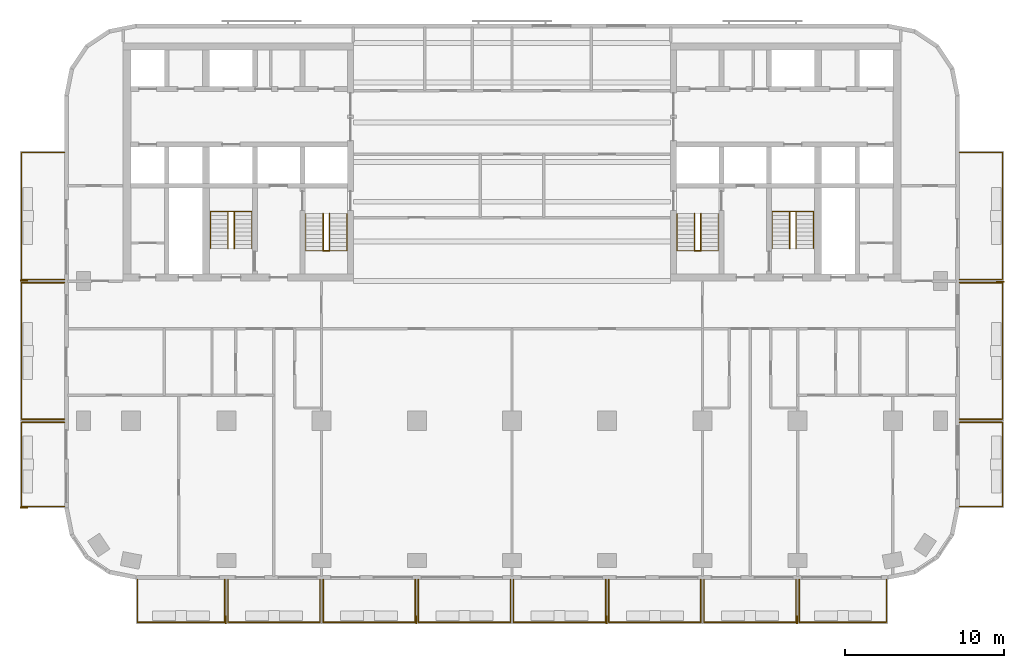
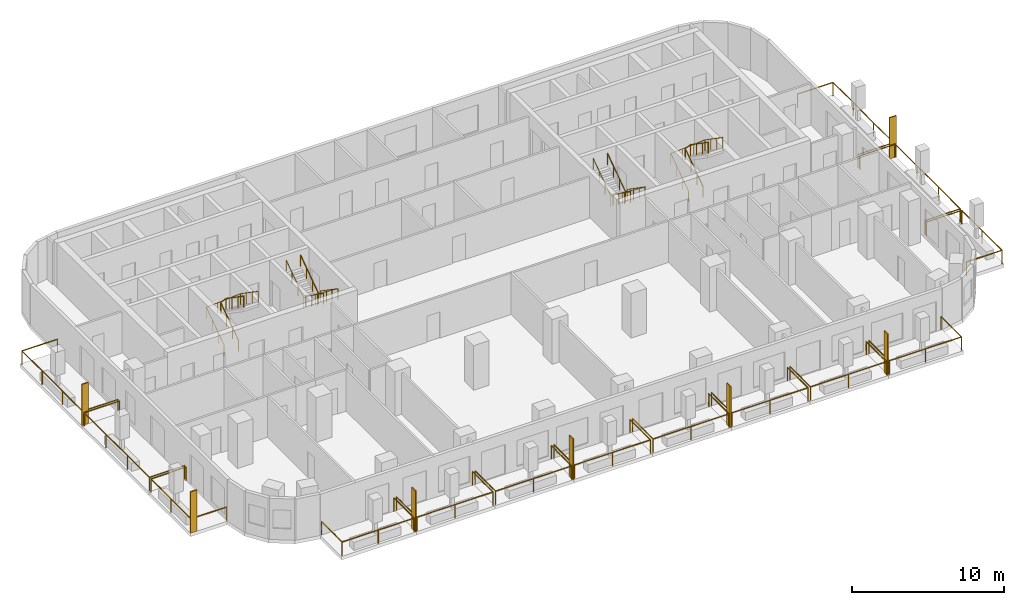
# One storey, part 9 of 11: 22 railings, 7 shading devices.
"""IFC4 building model written with IfcOpenShell, lengths in metres."""

from ifc_helpers import new_model, si_unit, direction, frame, origin, origin_2d, place, context, subcontext, project, spatial, rectangle, circle, extrude, material, layer, layer_set, type_object, element, save


model = new_model("IFC4")

# Units and contexts
model_context = context("Model", 3, precision=1e-05, world=origin(), true_north=direction((0.0, 1.0)))
body_context = subcontext(model_context, "Body", "Model", "MODEL_VIEW")
ifc_project = project(units=[si_unit("LENGTHUNIT", "METRE"), si_unit("AREAUNIT", "SQUARE_METRE"), si_unit("VOLUMEUNIT", "CUBIC_METRE"), si_unit("PLANEANGLEUNIT", "RADIAN"), si_unit("MASSUNIT", "GRAM", prefix="KILO")], contexts=[model_context])

# Site, building, storey
site_placement = place(None, origin())
site = spatial("IfcSite", under=ifc_project, at=site_placement, CompositionType="ELEMENT")
building_placement = place(site_placement, origin())
building = spatial("IfcBuilding", under=site, at=building_placement, Name="Torana Hotel and Residences", CompositionType="ELEMENT")
storey_placement = place(building_placement, frame((0.0, 0.0, 130.800048828125)))
storey = spatial("IfcBuildingStorey", under=building, at=storey_placement, Name="L33", CompositionType="ELEMENT", Elevation=130.800048828125)

# Shading devices
ifc_material_1 = material(Name="Black powder coated aluminium", Category="aluminium")
ifc_layer = layer(ifc_material_1, 0.080078125)
ifc_layer_set = layer_set([ifc_layer], Name="FN1 VERTICAL FIN 500x80")
shading_device_type = type_object("IfcShadingDeviceType", Name="FN1 VERTICAL FIN 500x80", PredefinedType="USERDEFINED", material=ifc_layer_set)
for number, where, z_axis, x_axis, name in (
    (1, (-18.0400390625, -36.35009765625, 0.0), (0.0, 0.0, 1.0), (-1.0, 0.0, 0.0), "Fin 01"),
    (2, (-6.0400390625, -36.35009765625, 0.0), (0.0, 0.0, 1.0), (-1.0, 0.0, 0.0), "Fin 03"),
    (3, (5.9599609375, -36.35009765625, 0.0), (0.0, 0.0, 1.0), (-1.0, 0.0, 0.0), "Fin 05"),
    (4, (17.9599609375, -36.35009765625, 0.0), (0.0, 0.0, 1.0), (-1.0, 0.0, 0.0), "Fin 07"),
    (5, (-30.75, -29.260009765625, 0.0), (0.0, 0.0, 1.0), (0.0, 1.0, 0.0), "Fin 09"),
    (6, (-30.75, -14.9599609375, 0.0), (0.0, 0.0, 1.0), (0.0, 1.0, 0.0), "Fin 11"),
    (7, (30.75, -15.0400390625, 0.0), (0.0, 0.0, 1.0), (0.0, -1.0, 0.0), "Fin 13"),
):
    element("IfcShadingDevice", number, at=place(storey_placement, frame(where, z_axis=z_axis, x_axis=x_axis)), inside=storey, type_object=shading_device_type, Name=name, ObjectType="FIN", PredefinedType="USERDEFINED", context=body_context, shape_type="SweptSolid", body=[
        extrude(rectangle(XDim=0.080078125, YDim=0.5, at=origin_2d()), origin(), (0.0, 0.0, 1.0), 3.320068359375),
    ])

# Railings
ifc_material_2 = material(Name="Laminated glass balustrade with black handrail", Category="glass")
railing_type_1 = type_object("IfcRailingType", Name="GR1 BALCONY GUARD 1100 GLASS", PredefinedType="GUARDRAIL", material=ifc_material_2)
railing_1_placement = place(storey_placement, frame((-18.10009765625, -33.800048828125, 0.0)))
element("IfcRailing", 8, at=railing_1_placement, inside=storey, type_object=railing_type_1, Name="Balcony guard 01", PredefinedType="GUARDRAIL", context=body_context, shape_type="SweptSolid", body=[
    extrude(circle(Radius=0.02392578125, at=origin_2d()), frame((0.0, 0.0, 1.076171875), z_axis=(0.0, -1.0, 0.0), x_axis=(1.0, 0.0, 0.0)), (0.0, 0.0, 1.0), 2.699951171875),
    extrude(circle(Radius=0.02392578125, at=origin_2d()), frame((0.0, -2.699951171875, 1.076171875), z_axis=(-1.0, 0.0, 0.0), x_axis=(0.0, -1.0, 0.0)), (0.0, 0.0, 1.0), 5.5),
    extrude(circle(Radius=0.02392578125, at=origin_2d()), frame((-5.5, -2.699951171875, 1.076171875), z_axis=(0.0, 1.0, 0.0), x_axis=(-1.0, 0.0, 0.0)), (0.0, 0.0, 1.0), 2.699951171875),
    extrude(circle(Radius=0.02099609375, at=origin_2d()), origin(), (0.0, 0.0, 1.0), 1.052001953125),
    extrude(circle(Radius=0.02099609375, at=origin_2d()), frame((0.0, -2.699951171875, 0.0)), (0.0, 0.0, 1.0), 1.052001953125),
    extrude(circle(Radius=0.02099609375, at=origin_2d()), frame((-2.75, -2.699951171875, 0.0)), (0.0, 0.0, 1.0), 1.052001953125),
    extrude(circle(Radius=0.02099609375, at=origin_2d()), frame((-5.5, -2.699951171875, 0.0)), (0.0, 0.0, 1.0), 1.052001953125),
    extrude(circle(Radius=0.02099609375, at=origin_2d()), frame((-5.5, 0.0, 0.0)), (0.0, 0.0, 1.0), 1.052001953125),
])
for number, where, name in (
    (9, (-12.10009765625, -33.800048828125, 0.0), "Balcony guard 02"),
    (10, (-6.10009765625, -33.800048828125, 0.0), "Balcony guard 03"),
    (11, (-0.10009765625, -33.800048828125, 0.0), "Balcony guard 04"),
    (12, (5.89990234375, -33.800048828125, 0.0), "Balcony guard 05"),
    (13, (11.89990234375, -33.800048828125, 0.0), "Balcony guard 06"),
    (14, (17.89990234375, -33.800048828125, 0.0), "Balcony guard 07"),
):
    element("IfcRailing", number, at=place(storey_placement, frame(where)), inside=storey, type_object=railing_type_1, Name=name, PredefinedType="GUARDRAIL", context=body_context, shape_type="SweptSolid", body=[
        extrude(circle(Radius=0.02392578125, at=origin_2d()), frame((0.0, 0.0, 1.076171875), z_axis=(0.0, -1.0, 0.0), x_axis=(1.0, 0.0, 0.0)), (0.0, 0.0, 1.0), 2.699951171875),
        extrude(circle(Radius=0.02392578125, at=origin_2d()), frame((0.0, -2.699951171875, 1.076171875), z_axis=(-1.0, 0.0, 0.0), x_axis=(0.0, -1.0, 0.0)), (0.0, 0.0, 1.0), 5.7998046875),
        extrude(circle(Radius=0.02392578125, at=origin_2d()), frame((-5.7998046875, -2.699951171875, 1.076171875), z_axis=(0.0, 1.0, 0.0), x_axis=(-1.0, 0.0, 0.0)), (0.0, 0.0, 1.0), 2.699951171875),
        extrude(circle(Radius=0.02099609375, at=origin_2d()), origin(), (0.0, 0.0, 1.0), 1.052001953125),
        extrude(circle(Radius=0.02099609375, at=origin_2d()), frame((0.0, -2.699951171875, 0.0)), (0.0, 0.0, 1.0), 1.052001953125),
        extrude(circle(Radius=0.02099609375, at=origin_2d()), frame((-2.89990234375, -2.699951171875, 0.0)), (0.0, 0.0, 1.0), 1.052001953125),
        extrude(circle(Radius=0.02099609375, at=origin_2d()), frame((-5.7998046875, -2.699951171875, 0.0)), (0.0, 0.0, 1.0), 1.052001953125),
        extrude(circle(Radius=0.02099609375, at=origin_2d()), frame((-5.7998046875, 0.0, 0.0)), (0.0, 0.0, 1.0), 1.052001953125),
    ])
railing_2_placement = place(storey_placement, frame((23.60009765625, -33.800048828125, 0.0)))
element("IfcRailing", 15, at=railing_2_placement, inside=storey, type_object=railing_type_1, Name="Balcony guard 08", PredefinedType="GUARDRAIL", context=body_context, shape_type="SweptSolid", body=[
    extrude(circle(Radius=0.02392578125, at=origin_2d()), frame((0.0, 0.0, 1.076171875), z_axis=(0.0, -1.0, 0.0), x_axis=(1.0, 0.0, 0.0)), (0.0, 0.0, 1.0), 2.699951171875),
    extrude(circle(Radius=0.02392578125, at=origin_2d()), frame((0.0, -2.699951171875, 1.076171875), z_axis=(-1.0, 0.0, 0.0), x_axis=(0.0, -1.0, 0.0)), (0.0, 0.0, 1.0), 5.5),
    extrude(circle(Radius=0.02392578125, at=origin_2d()), frame((-5.5, -2.699951171875, 1.076171875), z_axis=(0.0, 1.0, 0.0), x_axis=(-1.0, 0.0, 0.0)), (0.0, 0.0, 1.0), 2.699951171875),
    extrude(circle(Radius=0.02099609375, at=origin_2d()), origin(), (0.0, 0.0, 1.0), 1.052001953125),
    extrude(circle(Radius=0.02099609375, at=origin_2d()), frame((0.0, -2.699951171875, 0.0)), (0.0, 0.0, 1.0), 1.052001953125),
    extrude(circle(Radius=0.02099609375, at=origin_2d()), frame((-2.75, -2.699951171875, 0.0)), (0.0, 0.0, 1.0), 1.052001953125),
    extrude(circle(Radius=0.02099609375, at=origin_2d()), frame((-5.5, -2.699951171875, 0.0)), (0.0, 0.0, 1.0), 1.052001953125),
    extrude(circle(Radius=0.02099609375, at=origin_2d()), frame((-5.5, 0.0, 0.0)), (0.0, 0.0, 1.0), 1.052001953125),
])
railing_3_placement = place(storey_placement, frame((-28.199951171875, -29.199951171875, 0.0)))
element("IfcRailing", 16, at=railing_3_placement, inside=storey, type_object=railing_type_1, Name="Balcony guard 09", PredefinedType="GUARDRAIL", context=body_context, shape_type="SweptSolid", body=[
    extrude(circle(Radius=0.02392578125, at=origin_2d()), frame((0.0, 0.0, 1.076171875), z_axis=(-1.0, 0.0, 0.0), x_axis=(0.0, -1.0, 0.0)), (0.0, 0.0, 1.0), 2.699951171875),
    extrude(circle(Radius=0.02392578125, at=origin_2d()), frame((-2.699951171875, 0.0, 1.076171875), z_axis=(0.0, 1.0, 0.0), x_axis=(-1.0, 0.0, 0.0)), (0.0, 0.0, 1.0), 5.300048828125),
    extrude(circle(Radius=0.02392578125, at=origin_2d()), frame((-2.699951171875, 5.300048828125, 1.076171875), z_axis=(1.0, 0.0, 0.0), x_axis=(0.0, 1.0, 0.0)), (0.0, 0.0, 1.0), 2.699951171875),
    extrude(circle(Radius=0.02099609375, at=origin_2d()), origin(), (0.0, 0.0, 1.0), 1.052001953125),
    extrude(circle(Radius=0.02099609375, at=origin_2d()), frame((-2.699951171875, 0.0, 0.0)), (0.0, 0.0, 1.0), 1.052001953125),
    extrude(circle(Radius=0.02099609375, at=origin_2d()), frame((-2.699951171875, 2.64990234375, 0.0)), (0.0, 0.0, 1.0), 1.052001953125),
    extrude(circle(Radius=0.02099609375, at=origin_2d()), frame((-2.699951171875, 5.300048828125, 0.0)), (0.0, 0.0, 1.0), 1.052001953125),
    extrude(circle(Radius=0.02099609375, at=origin_2d()), frame((0.0, 5.300048828125, 0.0)), (0.0, 0.0, 1.0), 1.052001953125),
])
railing_4_placement = place(storey_placement, frame((-28.199951171875, -23.699951171875, 0.0)))
element("IfcRailing", 17, at=railing_4_placement, inside=storey, type_object=railing_type_1, Name="Balcony guard 10", PredefinedType="GUARDRAIL", context=body_context, shape_type="SweptSolid", body=[
    extrude(circle(Radius=0.02392578125, at=origin_2d()), frame((0.0, 0.0, 1.076171875), z_axis=(-1.0, 0.0, 0.0), x_axis=(0.0, -1.0, 0.0)), (0.0, 0.0, 1.0), 2.699951171875),
    extrude(circle(Radius=0.02392578125, at=origin_2d()), frame((-2.699951171875, 0.0, 1.076171875), z_axis=(0.0, 1.0, 0.0), x_axis=(-1.0, 0.0, 0.0)), (0.0, 0.0, 1.0), 8.599853515625),
    extrude(circle(Radius=0.02392578125, at=origin_2d()), frame((-2.699951171875, 8.599853515625, 1.076171875), z_axis=(1.0, 0.0, 0.0), x_axis=(0.0, 1.0, 0.0)), (0.0, 0.0, 1.0), 2.699951171875),
    extrude(circle(Radius=0.02099609375, at=origin_2d()), origin(), (0.0, 0.0, 1.0), 1.052001953125),
    extrude(circle(Radius=0.02099609375, at=origin_2d()), frame((-2.699951171875, 0.0, 0.0)), (0.0, 0.0, 1.0), 1.052001953125),
    extrude(circle(Radius=0.02099609375, at=origin_2d()), frame((-2.699951171875, 2.86669921875, 0.0)), (0.0, 0.0, 1.0), 1.052001953125),
    extrude(circle(Radius=0.02099609375, at=origin_2d()), frame((-2.699951171875, 5.733154296875, 0.0)), (0.0, 0.0, 1.0), 1.052001953125),
    extrude(circle(Radius=0.02099609375, at=origin_2d()), frame((-2.699951171875, 8.599853515625, 0.0)), (0.0, 0.0, 1.0), 1.052001953125),
    extrude(circle(Radius=0.02099609375, at=origin_2d()), frame((0.0, 8.599853515625, 0.0)), (0.0, 0.0, 1.0), 1.052001953125),
])
railing_5_placement = place(storey_placement, frame((-28.199951171875, -14.89990234375, 0.0)))
element("IfcRailing", 18, at=railing_5_placement, inside=storey, type_object=railing_type_1, Name="Balcony guard 11", PredefinedType="GUARDRAIL", context=body_context, shape_type="SweptSolid", body=[
    extrude(circle(Radius=0.02392578125, at=origin_2d()), frame((0.0, 0.0, 1.076171875), z_axis=(-1.0, 0.0, 0.0), x_axis=(0.0, -1.0, 0.0)), (0.0, 0.0, 1.0), 2.699951171875),
    extrude(circle(Radius=0.02392578125, at=origin_2d()), frame((-2.699951171875, 0.0, 1.076171875), z_axis=(0.0, 1.0, 0.0), x_axis=(-1.0, 0.0, 0.0)), (0.0, 0.0, 1.0), 8.0),
    extrude(circle(Radius=0.02392578125, at=origin_2d()), frame((-2.699951171875, 8.0, 1.076171875), z_axis=(1.0, 0.0, 0.0), x_axis=(0.0, 1.0, 0.0)), (0.0, 0.0, 1.0), 2.699951171875),
    extrude(circle(Radius=0.02099609375, at=origin_2d()), origin(), (0.0, 0.0, 1.0), 1.052001953125),
    extrude(circle(Radius=0.02099609375, at=origin_2d()), frame((-2.699951171875, 0.0, 0.0)), (0.0, 0.0, 1.0), 1.052001953125),
    extrude(circle(Radius=0.02099609375, at=origin_2d()), frame((-2.699951171875, 2.666748046875, 0.0)), (0.0, 0.0, 1.0), 1.052001953125),
    extrude(circle(Radius=0.02099609375, at=origin_2d()), frame((-2.699951171875, 5.333251953125, 0.0)), (0.0, 0.0, 1.0), 1.052001953125),
    extrude(circle(Radius=0.02099609375, at=origin_2d()), frame((-2.699951171875, 8.0, 0.0)), (0.0, 0.0, 1.0), 1.052001953125),
    extrude(circle(Radius=0.02099609375, at=origin_2d()), frame((0.0, 8.0, 0.0)), (0.0, 0.0, 1.0), 1.052001953125),
])
railing_6_placement = place(storey_placement, frame((28.199951171875, -23.89990234375, 0.0)))
element("IfcRailing", 19, at=railing_6_placement, inside=storey, type_object=railing_type_1, Name="Balcony guard 12", PredefinedType="GUARDRAIL", context=body_context, shape_type="SweptSolid", body=[
    extrude(circle(Radius=0.02392578125, at=origin_2d()), frame((0.0, 0.0, 1.076171875), z_axis=(1.0, 0.0, 0.0), x_axis=(0.0, 1.0, 0.0)), (0.0, 0.0, 1.0), 2.699951171875),
    extrude(circle(Radius=0.02392578125, at=origin_2d()), frame((2.699951171875, 0.0, 1.076171875), z_axis=(0.0, -1.0, 0.0), x_axis=(1.0, 0.0, 0.0)), (0.0, 0.0, 1.0), 5.300048828125),
    extrude(circle(Radius=0.02392578125, at=origin_2d()), frame((2.699951171875, -5.300048828125, 1.076171875), z_axis=(-1.0, 0.0, 0.0), x_axis=(0.0, -1.0, 0.0)), (0.0, 0.0, 1.0), 2.699951171875),
    extrude(circle(Radius=0.02099609375, at=origin_2d()), origin(), (0.0, 0.0, 1.0), 1.052001953125),
    extrude(circle(Radius=0.02099609375, at=origin_2d()), frame((2.699951171875, 0.0, 0.0)), (0.0, 0.0, 1.0), 1.052001953125),
    extrude(circle(Radius=0.02099609375, at=origin_2d()), frame((2.699951171875, -2.64990234375, 0.0)), (0.0, 0.0, 1.0), 1.052001953125),
    extrude(circle(Radius=0.02099609375, at=origin_2d()), frame((2.699951171875, -5.300048828125, 0.0)), (0.0, 0.0, 1.0), 1.052001953125),
    extrude(circle(Radius=0.02099609375, at=origin_2d()), frame((0.0, -5.300048828125, 0.0)), (0.0, 0.0, 1.0), 1.052001953125),
])
railing_7_placement = place(storey_placement, frame((28.199951171875, -15.10009765625, 0.0)))
element("IfcRailing", 20, at=railing_7_placement, inside=storey, type_object=railing_type_1, Name="Balcony guard 13", PredefinedType="GUARDRAIL", context=body_context, shape_type="SweptSolid", body=[
    extrude(circle(Radius=0.02392578125, at=origin_2d()), frame((0.0, 0.0, 1.076171875), z_axis=(1.0, 0.0, 0.0), x_axis=(0.0, 1.0, 0.0)), (0.0, 0.0, 1.0), 2.699951171875),
    extrude(circle(Radius=0.02392578125, at=origin_2d()), frame((2.699951171875, 0.0, 1.076171875), z_axis=(0.0, -1.0, 0.0), x_axis=(1.0, 0.0, 0.0)), (0.0, 0.0, 1.0), 8.599853515625),
    extrude(circle(Radius=0.02392578125, at=origin_2d()), frame((2.699951171875, -8.599853515625, 1.076171875), z_axis=(-1.0, 0.0, 0.0), x_axis=(0.0, -1.0, 0.0)), (0.0, 0.0, 1.0), 2.699951171875),
    extrude(circle(Radius=0.02099609375, at=origin_2d()), origin(), (0.0, 0.0, 1.0), 1.052001953125),
    extrude(circle(Radius=0.02099609375, at=origin_2d()), frame((2.699951171875, 0.0, 0.0)), (0.0, 0.0, 1.0), 1.052001953125),
    extrude(circle(Radius=0.02099609375, at=origin_2d()), frame((2.699951171875, -2.86669921875, 0.0)), (0.0, 0.0, 1.0), 1.052001953125),
    extrude(circle(Radius=0.02099609375, at=origin_2d()), frame((2.699951171875, -5.733154296875, 0.0)), (0.0, 0.0, 1.0), 1.052001953125),
    extrude(circle(Radius=0.02099609375, at=origin_2d()), frame((2.699951171875, -8.599853515625, 0.0)), (0.0, 0.0, 1.0), 1.052001953125),
    extrude(circle(Radius=0.02099609375, at=origin_2d()), frame((0.0, -8.599853515625, 0.0)), (0.0, 0.0, 1.0), 1.052001953125),
])
railing_8_placement = place(storey_placement, frame((28.199951171875, -6.89990234375, 0.0)))
element("IfcRailing", 21, at=railing_8_placement, inside=storey, type_object=railing_type_1, Name="Balcony guard 14", PredefinedType="GUARDRAIL", context=body_context, shape_type="SweptSolid", body=[
    extrude(circle(Radius=0.02392578125, at=origin_2d()), frame((0.0, 0.0, 1.076171875), z_axis=(1.0, 0.0, 0.0), x_axis=(0.0, 1.0, 0.0)), (0.0, 0.0, 1.0), 2.699951171875),
    extrude(circle(Radius=0.02392578125, at=origin_2d()), frame((2.699951171875, 0.0, 1.076171875), z_axis=(0.0, -1.0, 0.0), x_axis=(1.0, 0.0, 0.0)), (0.0, 0.0, 1.0), 8.0),
    extrude(circle(Radius=0.02392578125, at=origin_2d()), frame((2.699951171875, -8.0, 1.076171875), z_axis=(-1.0, 0.0, 0.0), x_axis=(0.0, -1.0, 0.0)), (0.0, 0.0, 1.0), 2.699951171875),
    extrude(circle(Radius=0.02099609375, at=origin_2d()), origin(), (0.0, 0.0, 1.0), 1.052001953125),
    extrude(circle(Radius=0.02099609375, at=origin_2d()), frame((2.699951171875, 0.0, 0.0)), (0.0, 0.0, 1.0), 1.052001953125),
    extrude(circle(Radius=0.02099609375, at=origin_2d()), frame((2.699951171875, -2.666748046875, 0.0)), (0.0, 0.0, 1.0), 1.052001953125),
    extrude(circle(Radius=0.02099609375, at=origin_2d()), frame((2.699951171875, -5.333251953125, 0.0)), (0.0, 0.0, 1.0), 1.052001953125),
    extrude(circle(Radius=0.02099609375, at=origin_2d()), frame((2.699951171875, -8.0, 0.0)), (0.0, 0.0, 1.0), 1.052001953125),
    extrude(circle(Radius=0.02099609375, at=origin_2d()), frame((0.0, -8.0, 0.0)), (0.0, 0.0, 1.0), 1.052001953125),
])
ifc_material_3 = material(Name="Stainless steel 316", Category="steel")
railing_type_2 = type_object("IfcRailingType", Name="STAIR HANDRAIL HR1 900", PredefinedType="HANDRAIL", material=ifc_material_3)
railing_9_placement = place(storey_placement, frame((-10.39990234375, -10.75, 0.179931640625)))
element("IfcRailing", 22, at=railing_9_placement, inside=storey, type_object=railing_type_2, Name="Handrail ST1 L33 O1", PredefinedType="HANDRAIL", context=body_context, shape_type="SweptSolid", body=[
    extrude(circle(Radius=0.02392578125, at=origin_2d()), frame((0.0, 0.0, 0.8759765625), z_axis=(0.0, -0.822182927502, 0.569223360136), x_axis=(1.0, 0.0, 0.0)), (0.0, 0.0, 1.0), 2.84619140625),
    extrude(circle(Radius=0.02392578125, at=origin_2d()), frame((0.0, -2.340087890625, 2.49609375), z_axis=(-0.997614115953, 0.0, 0.069036770278), x_axis=(0.0, -1.0, 0.0)), (0.0, 0.0, 1.0), 2.606201171875),
    extrude(circle(Radius=0.02392578125, at=origin_2d()), frame((-2.60009765625, -2.340087890625, 2.67578125), z_axis=(0.0, 0.822223072051, 0.569165371211), x_axis=(-1.0, 0.0, 0.0)), (0.0, 0.0, 1.0), 2.845947265625),
    extrude(circle(Radius=0.02099609375, at=origin_2d()), origin(), (0.0, 0.0, 1.0), 0.851806640625),
    extrude(circle(Radius=0.02099609375, at=origin_2d()), frame((0.0, -0.780029296875, 0.5400390625)), (0.0, 0.0, 1.0), 0.851806640625),
    extrude(circle(Radius=0.02099609375, at=origin_2d()), frame((0.0, -1.56005859375, 1.080078125)), (0.0, 0.0, 1.0), 0.851806640625),
    extrude(circle(Radius=0.02099609375, at=origin_2d()), frame((0.0, -2.340087890625, 1.6201171875)), (0.0, 0.0, 1.0), 0.851806640625),
    extrude(circle(Radius=0.02099609375, at=origin_2d()), frame((-0.86669921875, -2.340087890625, 1.68017578125)), (0.0, 0.0, 1.0), 0.851806640625),
    extrude(circle(Radius=0.02099609375, at=origin_2d()), frame((-1.7333984375, -2.340087890625, 1.739990234375)), (0.0, 0.0, 1.0), 0.851806640625),
    extrude(circle(Radius=0.02099609375, at=origin_2d()), frame((-2.60009765625, -2.340087890625, 1.800048828125)), (0.0, 0.0, 1.0), 0.851806640625),
    extrude(circle(Radius=0.02099609375, at=origin_2d()), frame((-2.60009765625, -1.56005859375, 2.340087890625)), (0.0, 0.0, 1.0), 0.851806640625),
    extrude(circle(Radius=0.02099609375, at=origin_2d()), frame((-2.60009765625, -0.780029296875, 2.8798828125)), (0.0, 0.0, 1.0), 0.851806640625),
    extrude(circle(Radius=0.02099609375, at=origin_2d()), frame((-2.60009765625, 0.0, 3.419921875)), (0.0, 0.0, 1.0), 0.851806640625),
])
railing_10_placement = place(storey_placement, frame((-11.5, -10.75, 0.179931640625)))
element("IfcRailing", 23, at=railing_10_placement, inside=storey, type_object=railing_type_2, Name="Handrail ST1 L33 I1", PredefinedType="HANDRAIL", context=body_context, shape_type="SweptSolid", body=[
    extrude(circle(Radius=0.02392578125, at=origin_2d()), frame((0.0, 0.0, 0.8759765625), z_axis=(0.0, -0.822182927502, 0.569223360136), x_axis=(1.0, 0.0, 0.0)), (0.0, 0.0, 1.0), 2.84619140625),
    extrude(circle(Radius=0.02392578125, at=origin_2d()), frame((0.0, -2.340087890625, 2.49609375), z_axis=(-0.911942338396, 0.0, 0.410318378143), x_axis=(0.0, -1.0, 0.0)), (0.0, 0.0, 1.0), 0.4384765625),
    extrude(circle(Radius=0.02392578125, at=origin_2d()), frame((-0.39990234375, -2.340087890625, 2.67578125), z_axis=(0.0, 0.822223072051, 0.569165371211), x_axis=(-1.0, 0.0, 0.0)), (0.0, 0.0, 1.0), 2.845947265625),
    extrude(circle(Radius=0.02099609375, at=origin_2d()), origin(), (0.0, 0.0, 1.0), 0.851806640625),
    extrude(circle(Radius=0.02099609375, at=origin_2d()), frame((0.0, -0.780029296875, 0.5400390625)), (0.0, 0.0, 1.0), 0.851806640625),
    extrude(circle(Radius=0.02099609375, at=origin_2d()), frame((0.0, -1.56005859375, 1.080078125)), (0.0, 0.0, 1.0), 0.851806640625),
    extrude(circle(Radius=0.02099609375, at=origin_2d()), frame((0.0, -2.340087890625, 1.6201171875)), (0.0, 0.0, 1.0), 0.851806640625),
    extrude(circle(Radius=0.02099609375, at=origin_2d()), frame((-0.39990234375, -2.340087890625, 1.800048828125)), (0.0, 0.0, 1.0), 0.851806640625),
    extrude(circle(Radius=0.02099609375, at=origin_2d()), frame((-0.39990234375, -1.56005859375, 2.340087890625)), (0.0, 0.0, 1.0), 0.851806640625),
    extrude(circle(Radius=0.02099609375, at=origin_2d()), frame((-0.39990234375, -0.780029296875, 2.8798828125)), (0.0, 0.0, 1.0), 0.851806640625),
    extrude(circle(Radius=0.02099609375, at=origin_2d()), frame((-0.39990234375, 0.0, 3.419921875)), (0.0, 0.0, 1.0), 0.851806640625),
])
railing_11_placement = place(storey_placement, frame((-19.0, -12.949951171875, 0.179931640625)))
element("IfcRailing", 24, at=railing_11_placement, inside=storey, type_object=railing_type_2, Name="Handrail ST2 L33 O1", PredefinedType="HANDRAIL", context=body_context, shape_type="SweptSolid", body=[
    extrude(circle(Radius=0.02392578125, at=origin_2d()), frame((0.0, 0.0, 0.8759765625), z_axis=(0.0, 0.822155131156, 0.569263506923), x_axis=(-1.0, 0.0, 0.0)), (0.0, 0.0, 1.0), 2.845947265625),
    extrude(circle(Radius=0.02392578125, at=origin_2d()), frame((0.0, 2.33984375, 2.49609375), z_axis=(0.997614115953, 0.0, 0.069036770278), x_axis=(0.0, 1.0, 0.0)), (0.0, 0.0, 1.0), 2.606201171875),
    extrude(circle(Radius=0.02392578125, at=origin_2d()), frame((2.60009765625, 2.33984375, 2.67578125), z_axis=(0.0, -0.822195280011, 0.569205517829), x_axis=(1.0, 0.0, 0.0)), (0.0, 0.0, 1.0), 2.845947265625),
    extrude(circle(Radius=0.02099609375, at=origin_2d()), origin(), (0.0, 0.0, 1.0), 0.851806640625),
    extrude(circle(Radius=0.02099609375, at=origin_2d()), frame((0.0, 0.780029296875, 0.5400390625)), (0.0, 0.0, 1.0), 0.851806640625),
    extrude(circle(Radius=0.02099609375, at=origin_2d()), frame((0.0, 1.559814453125, 1.080078125)), (0.0, 0.0, 1.0), 0.851806640625),
    extrude(circle(Radius=0.02099609375, at=origin_2d()), frame((0.0, 2.33984375, 1.6201171875)), (0.0, 0.0, 1.0), 0.851806640625),
    extrude(circle(Radius=0.02099609375, at=origin_2d()), frame((0.86669921875, 2.33984375, 1.68017578125)), (0.0, 0.0, 1.0), 0.851806640625),
    extrude(circle(Radius=0.02099609375, at=origin_2d()), frame((1.7333984375, 2.33984375, 1.739990234375)), (0.0, 0.0, 1.0), 0.851806640625),
    extrude(circle(Radius=0.02099609375, at=origin_2d()), frame((2.60009765625, 2.33984375, 1.800048828125)), (0.0, 0.0, 1.0), 0.851806640625),
    extrude(circle(Radius=0.02099609375, at=origin_2d()), frame((2.60009765625, 1.559814453125, 2.340087890625)), (0.0, 0.0, 1.0), 0.851806640625),
    extrude(circle(Radius=0.02099609375, at=origin_2d()), frame((2.60009765625, 0.780029296875, 2.8798828125)), (0.0, 0.0, 1.0), 0.851806640625),
    extrude(circle(Radius=0.02099609375, at=origin_2d()), frame((2.60009765625, 0.0, 3.419921875)), (0.0, 0.0, 1.0), 0.851806640625),
])
railing_12_placement = place(storey_placement, frame((-17.89990234375, -12.949951171875, 0.179931640625)))
element("IfcRailing", 25, at=railing_12_placement, inside=storey, type_object=railing_type_2, Name="Handrail ST2 L33 I1", PredefinedType="HANDRAIL", context=body_context, shape_type="SweptSolid", body=[
    extrude(circle(Radius=0.02392578125, at=origin_2d()), frame((0.0, 0.0, 0.8759765625), z_axis=(0.0, 0.822155131156, 0.569263506923), x_axis=(-1.0, 0.0, 0.0)), (0.0, 0.0, 1.0), 2.845947265625),
    extrude(circle(Radius=0.02392578125, at=origin_2d()), frame((0.0, 2.33984375, 2.49609375), z_axis=(0.911942338396, 0.0, 0.410318378143), x_axis=(0.0, 1.0, 0.0)), (0.0, 0.0, 1.0), 0.4384765625),
    extrude(circle(Radius=0.02392578125, at=origin_2d()), frame((0.39990234375, 2.33984375, 2.67578125), z_axis=(0.0, -0.822195280011, 0.569205517829), x_axis=(1.0, 0.0, 0.0)), (0.0, 0.0, 1.0), 2.845947265625),
    extrude(circle(Radius=0.02099609375, at=origin_2d()), origin(), (0.0, 0.0, 1.0), 0.851806640625),
    extrude(circle(Radius=0.02099609375, at=origin_2d()), frame((0.0, 0.780029296875, 0.5400390625)), (0.0, 0.0, 1.0), 0.851806640625),
    extrude(circle(Radius=0.02099609375, at=origin_2d()), frame((0.0, 1.559814453125, 1.080078125)), (0.0, 0.0, 1.0), 0.851806640625),
    extrude(circle(Radius=0.02099609375, at=origin_2d()), frame((0.0, 2.33984375, 1.6201171875)), (0.0, 0.0, 1.0), 0.851806640625),
    extrude(circle(Radius=0.02099609375, at=origin_2d()), frame((0.39990234375, 2.33984375, 1.800048828125)), (0.0, 0.0, 1.0), 0.851806640625),
    extrude(circle(Radius=0.02099609375, at=origin_2d()), frame((0.39990234375, 1.559814453125, 2.340087890625)), (0.0, 0.0, 1.0), 0.851806640625),
    extrude(circle(Radius=0.02099609375, at=origin_2d()), frame((0.39990234375, 0.780029296875, 2.8798828125)), (0.0, 0.0, 1.0), 0.851806640625),
    extrude(circle(Radius=0.02099609375, at=origin_2d()), frame((0.39990234375, 0.0, 3.419921875)), (0.0, 0.0, 1.0), 0.851806640625),
])
railing_13_placement = place(storey_placement, frame((13.0, -10.75, 0.179931640625)))
element("IfcRailing", 26, at=railing_13_placement, inside=storey, type_object=railing_type_2, Name="Handrail ST3 L33 O1", PredefinedType="HANDRAIL", context=body_context, shape_type="SweptSolid", body=[
    extrude(circle(Radius=0.02392578125, at=origin_2d()), frame((0.0, 0.0, 0.8759765625), z_axis=(0.0, -0.822182927502, 0.569223360136), x_axis=(1.0, 0.0, 0.0)), (0.0, 0.0, 1.0), 2.84619140625),
    extrude(circle(Radius=0.02392578125, at=origin_2d()), frame((0.0, -2.340087890625, 2.49609375), z_axis=(-0.997614115953, 0.0, 0.069036770278), x_axis=(0.0, -1.0, 0.0)), (0.0, 0.0, 1.0), 2.606201171875),
    extrude(circle(Radius=0.02392578125, at=origin_2d()), frame((-2.60009765625, -2.340087890625, 2.67578125), z_axis=(0.0, 0.822223072051, 0.569165371211), x_axis=(-1.0, 0.0, 0.0)), (0.0, 0.0, 1.0), 2.845947265625),
    extrude(circle(Radius=0.02099609375, at=origin_2d()), origin(), (0.0, 0.0, 1.0), 0.851806640625),
    extrude(circle(Radius=0.02099609375, at=origin_2d()), frame((0.0, -0.780029296875, 0.5400390625)), (0.0, 0.0, 1.0), 0.851806640625),
    extrude(circle(Radius=0.02099609375, at=origin_2d()), frame((0.0, -1.56005859375, 1.080078125)), (0.0, 0.0, 1.0), 0.851806640625),
    extrude(circle(Radius=0.02099609375, at=origin_2d()), frame((0.0, -2.340087890625, 1.6201171875)), (0.0, 0.0, 1.0), 0.851806640625),
    extrude(circle(Radius=0.02099609375, at=origin_2d()), frame((-0.86669921875, -2.340087890625, 1.68017578125)), (0.0, 0.0, 1.0), 0.851806640625),
    extrude(circle(Radius=0.02099609375, at=origin_2d()), frame((-1.7333984375, -2.340087890625, 1.739990234375)), (0.0, 0.0, 1.0), 0.851806640625),
    extrude(circle(Radius=0.02099609375, at=origin_2d()), frame((-2.60009765625, -2.340087890625, 1.800048828125)), (0.0, 0.0, 1.0), 0.851806640625),
    extrude(circle(Radius=0.02099609375, at=origin_2d()), frame((-2.60009765625, -1.56005859375, 2.340087890625)), (0.0, 0.0, 1.0), 0.851806640625),
    extrude(circle(Radius=0.02099609375, at=origin_2d()), frame((-2.60009765625, -0.780029296875, 2.8798828125)), (0.0, 0.0, 1.0), 0.851806640625),
    extrude(circle(Radius=0.02099609375, at=origin_2d()), frame((-2.60009765625, 0.0, 3.419921875)), (0.0, 0.0, 1.0), 0.851806640625),
])
railing_14_placement = place(storey_placement, frame((11.89990234375, -10.75, 0.179931640625)))
element("IfcRailing", 27, at=railing_14_placement, inside=storey, type_object=railing_type_2, Name="Handrail ST3 L33 I1", PredefinedType="HANDRAIL", context=body_context, shape_type="SweptSolid", body=[
    extrude(circle(Radius=0.02392578125, at=origin_2d()), frame((0.0, 0.0, 0.8759765625), z_axis=(0.0, -0.822182927502, 0.569223360136), x_axis=(1.0, 0.0, 0.0)), (0.0, 0.0, 1.0), 2.84619140625),
    extrude(circle(Radius=0.02392578125, at=origin_2d()), frame((0.0, -2.340087890625, 2.49609375), z_axis=(-0.911942338396, 0.0, 0.410318378143), x_axis=(0.0, -1.0, 0.0)), (0.0, 0.0, 1.0), 0.4384765625),
    extrude(circle(Radius=0.02392578125, at=origin_2d()), frame((-0.39990234375, -2.340087890625, 2.67578125), z_axis=(0.0, 0.822223072051, 0.569165371211), x_axis=(-1.0, 0.0, 0.0)), (0.0, 0.0, 1.0), 2.845947265625),
    extrude(circle(Radius=0.02099609375, at=origin_2d()), origin(), (0.0, 0.0, 1.0), 0.851806640625),
    extrude(circle(Radius=0.02099609375, at=origin_2d()), frame((0.0, -0.780029296875, 0.5400390625)), (0.0, 0.0, 1.0), 0.851806640625),
    extrude(circle(Radius=0.02099609375, at=origin_2d()), frame((0.0, -1.56005859375, 1.080078125)), (0.0, 0.0, 1.0), 0.851806640625),
    extrude(circle(Radius=0.02099609375, at=origin_2d()), frame((0.0, -2.340087890625, 1.6201171875)), (0.0, 0.0, 1.0), 0.851806640625),
    extrude(circle(Radius=0.02099609375, at=origin_2d()), frame((-0.39990234375, -2.340087890625, 1.800048828125)), (0.0, 0.0, 1.0), 0.851806640625),
    extrude(circle(Radius=0.02099609375, at=origin_2d()), frame((-0.39990234375, -1.56005859375, 2.340087890625)), (0.0, 0.0, 1.0), 0.851806640625),
    extrude(circle(Radius=0.02099609375, at=origin_2d()), frame((-0.39990234375, -0.780029296875, 2.8798828125)), (0.0, 0.0, 1.0), 0.851806640625),
    extrude(circle(Radius=0.02099609375, at=origin_2d()), frame((-0.39990234375, 0.0, 3.419921875)), (0.0, 0.0, 1.0), 0.851806640625),
])
railing_15_placement = place(storey_placement, frame((16.39990234375, -12.949951171875, 0.179931640625)))
element("IfcRailing", 28, at=railing_15_placement, inside=storey, type_object=railing_type_2, Name="Handrail ST4 L33 O1", PredefinedType="HANDRAIL", context=body_context, shape_type="SweptSolid", body=[
    extrude(circle(Radius=0.02392578125, at=origin_2d()), frame((0.0, 0.0, 0.8759765625), z_axis=(0.0, 0.822155131156, 0.569263506923), x_axis=(-1.0, 0.0, 0.0)), (0.0, 0.0, 1.0), 2.845947265625),
    extrude(circle(Radius=0.02392578125, at=origin_2d()), frame((0.0, 2.33984375, 2.49609375), z_axis=(0.997614115953, 0.0, 0.069036770278), x_axis=(0.0, 1.0, 0.0)), (0.0, 0.0, 1.0), 2.606201171875),
    extrude(circle(Radius=0.02392578125, at=origin_2d()), frame((2.60009765625, 2.33984375, 2.67578125), z_axis=(0.0, -0.822195280011, 0.569205517829), x_axis=(1.0, 0.0, 0.0)), (0.0, 0.0, 1.0), 2.845947265625),
    extrude(circle(Radius=0.02099609375, at=origin_2d()), origin(), (0.0, 0.0, 1.0), 0.851806640625),
    extrude(circle(Radius=0.02099609375, at=origin_2d()), frame((0.0, 0.780029296875, 0.5400390625)), (0.0, 0.0, 1.0), 0.851806640625),
    extrude(circle(Radius=0.02099609375, at=origin_2d()), frame((0.0, 1.559814453125, 1.080078125)), (0.0, 0.0, 1.0), 0.851806640625),
    extrude(circle(Radius=0.02099609375, at=origin_2d()), frame((0.0, 2.33984375, 1.6201171875)), (0.0, 0.0, 1.0), 0.851806640625),
    extrude(circle(Radius=0.02099609375, at=origin_2d()), frame((0.86669921875, 2.33984375, 1.68017578125)), (0.0, 0.0, 1.0), 0.851806640625),
    extrude(circle(Radius=0.02099609375, at=origin_2d()), frame((1.7333984375, 2.33984375, 1.739990234375)), (0.0, 0.0, 1.0), 0.851806640625),
    extrude(circle(Radius=0.02099609375, at=origin_2d()), frame((2.60009765625, 2.33984375, 1.800048828125)), (0.0, 0.0, 1.0), 0.851806640625),
    extrude(circle(Radius=0.02099609375, at=origin_2d()), frame((2.60009765625, 1.559814453125, 2.340087890625)), (0.0, 0.0, 1.0), 0.851806640625),
    extrude(circle(Radius=0.02099609375, at=origin_2d()), frame((2.60009765625, 0.780029296875, 2.8798828125)), (0.0, 0.0, 1.0), 0.851806640625),
    extrude(circle(Radius=0.02099609375, at=origin_2d()), frame((2.60009765625, 0.0, 3.419921875)), (0.0, 0.0, 1.0), 0.851806640625),
])
railing_16_placement = place(storey_placement, frame((17.5, -12.949951171875, 0.179931640625)))
element("IfcRailing", 29, at=railing_16_placement, inside=storey, type_object=railing_type_2, Name="Handrail ST4 L33 I1", PredefinedType="HANDRAIL", context=body_context, shape_type="SweptSolid", body=[
    extrude(circle(Radius=0.02392578125, at=origin_2d()), frame((0.0, 0.0, 0.8759765625), z_axis=(0.0, 0.822155131156, 0.569263506923), x_axis=(-1.0, 0.0, 0.0)), (0.0, 0.0, 1.0), 2.845947265625),
    extrude(circle(Radius=0.02392578125, at=origin_2d()), frame((0.0, 2.33984375, 2.49609375), z_axis=(0.911942338396, 0.0, 0.410318378143), x_axis=(0.0, 1.0, 0.0)), (0.0, 0.0, 1.0), 0.4384765625),
    extrude(circle(Radius=0.02392578125, at=origin_2d()), frame((0.39990234375, 2.33984375, 2.67578125), z_axis=(0.0, -0.822195280011, 0.569205517829), x_axis=(1.0, 0.0, 0.0)), (0.0, 0.0, 1.0), 2.845947265625),
    extrude(circle(Radius=0.02099609375, at=origin_2d()), origin(), (0.0, 0.0, 1.0), 0.851806640625),
    extrude(circle(Radius=0.02099609375, at=origin_2d()), frame((0.0, 0.780029296875, 0.5400390625)), (0.0, 0.0, 1.0), 0.851806640625),
    extrude(circle(Radius=0.02099609375, at=origin_2d()), frame((0.0, 1.559814453125, 1.080078125)), (0.0, 0.0, 1.0), 0.851806640625),
    extrude(circle(Radius=0.02099609375, at=origin_2d()), frame((0.0, 2.33984375, 1.6201171875)), (0.0, 0.0, 1.0), 0.851806640625),
    extrude(circle(Radius=0.02099609375, at=origin_2d()), frame((0.39990234375, 2.33984375, 1.800048828125)), (0.0, 0.0, 1.0), 0.851806640625),
    extrude(circle(Radius=0.02099609375, at=origin_2d()), frame((0.39990234375, 1.559814453125, 2.340087890625)), (0.0, 0.0, 1.0), 0.851806640625),
    extrude(circle(Radius=0.02099609375, at=origin_2d()), frame((0.39990234375, 0.780029296875, 2.8798828125)), (0.0, 0.0, 1.0), 0.851806640625),
    extrude(circle(Radius=0.02099609375, at=origin_2d()), frame((0.39990234375, 0.0, 3.419921875)), (0.0, 0.0, 1.0), 0.851806640625),
])

save(model, "model.ifc")
